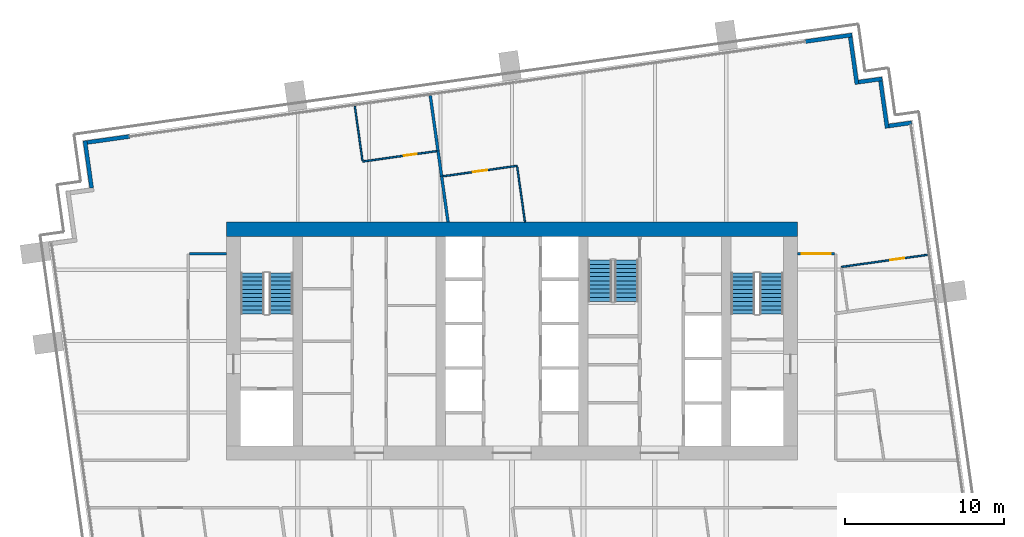
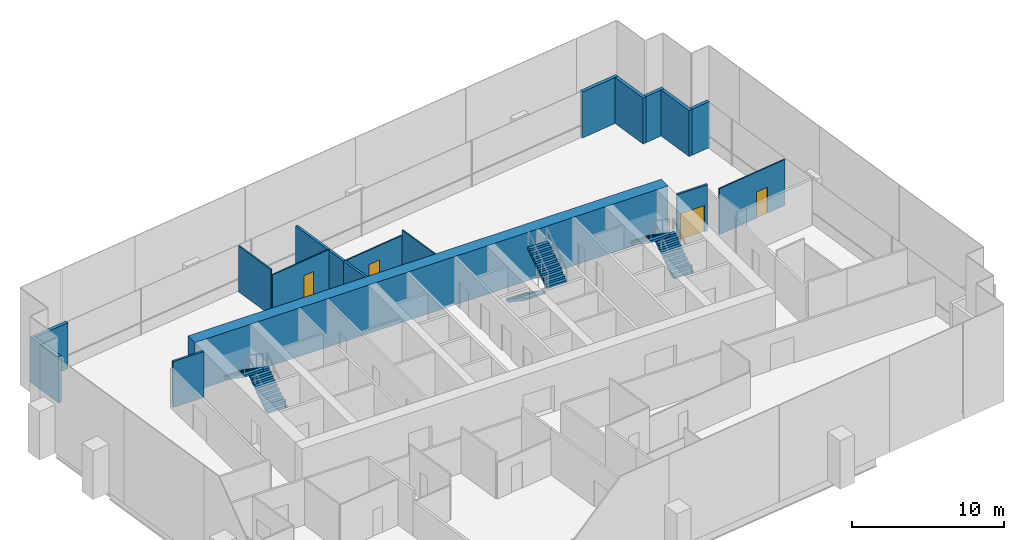
# One storey, part 12 of 17: 18 walls, 6 stair flights, 4 doors, 4 openings, 3 elements without a shape of their own.
"""IFC4 building model written with IfcOpenShell, lengths in metres."""

from ifc_helpers import new_model, si_unit, direction, frame, frame_2d, origin, place, context, subcontext, project, spatial, polyline, rectangle, outline, extrude, material, layer, layer_set, type_object, element, fill, aggregate, save


model = new_model("IFC4")

# Units and contexts
model_context = context("Model", 3, precision=1e-05, world=origin(), true_north=direction((0.0, 1.0)))
body_context = subcontext(model_context, "Body", "Model", "MODEL_VIEW")
ifc_project = project(units=[si_unit("LENGTHUNIT", "METRE"), si_unit("AREAUNIT", "SQUARE_METRE"), si_unit("VOLUMEUNIT", "CUBIC_METRE"), si_unit("PLANEANGLEUNIT", "RADIAN"), si_unit("MASSUNIT", "GRAM", prefix="KILO")], contexts=[model_context])

# Site, building, storey
site_placement = place(None, origin())
site = spatial("IfcSite", under=ifc_project, at=site_placement, CompositionType="ELEMENT")
building_placement = place(site_placement, origin())
building = spatial("IfcBuilding", under=site, at=building_placement, Name="Rattan Terrace Tower", CompositionType="ELEMENT")
storey_placement = place(building_placement, frame((0.0, 0.0, 168.5)))
storey = spatial("IfcBuildingStorey", under=building, at=storey_placement, Name="L38", CompositionType="ELEMENT", Elevation=168.5)

# Walls
ifc_material_1 = material(Name="Concrete C60/75", Category="concrete")
ifc_layer_1 = layer(ifc_material_1, 0.89990234375)
ifc_layer_set_1 = layer_set([ifc_layer_1], Name="Core ring wall 900 C60/75")
wall_type_1 = type_object("IfcWallType", Name="Core ring wall 900 C60/75", PredefinedType="SHEAR", material=ifc_layer_set_1)
wall_1_placement = place(storey_placement, frame((-18.0, 7.050048828125, -0.199951171875), z_axis=(0.0, 0.0, 1.0), x_axis=(1.0, 0.0, 0.0)))
element("IfcWall", 1, at=wall_1_placement, inside=storey, type_object=wall_type_1, Name="Rear core wall north", PredefinedType="SHEAR", context=body_context, shape_type="SweptSolid", body=[
    extrude(rectangle(XDim=36.0, YDim=0.89990234375, at=frame_2d((18.0, 0.0))), origin(), (0.0, 0.0, 1.0), 3.89990234375),
])
ifc_material_2 = material(Name="Insulated aluminium-clad stud wall", Category="aluminium")
ifc_layer_2 = layer(ifc_material_2, 0.25)
ifc_layer_set_2 = layer_set([ifc_layer_2], Name="Facade Riser Wall 250")
wall_type_2 = type_object("IfcWallType", Name="Facade Riser Wall 250", PredefinedType="SOLIDWALL", material=ifc_layer_set_2)
wall_2_placement = place(storey_placement, frame((25.18359375, 13.758056640625, 0.0), z_axis=(0.0, 0.0, 1.0), x_axis=(-0.9902493448, -0.13930626376, 0.0)))
element("IfcWall", 2, at=wall_2_placement, inside=storey, type_object=wall_type_2, Name="Riser wall L38-6", PredefinedType="SOLIDWALL", context=body_context, shape_type="SweptSolid", body=[
    extrude(rectangle(XDim=1.45458984375, YDim=0.25, at=frame_2d((0.727294921875, 0.0))), origin(), (0.0, 0.0, 1.0), 3.699951171875),
])
wall_3_placement = place(storey_placement, frame((23.63671875, 13.414306640625, 0.0), z_axis=(0.0, 0.0, 1.0), x_axis=(-0.139313431826, 0.990248336385, 0.0)))
element("IfcWall", 3, at=wall_3_placement, inside=storey, type_object=wall_type_2, Name="Riser wall L38-7", PredefinedType="SOLIDWALL", context=body_context, shape_type="SweptSolid", body=[
    extrude(rectangle(XDim=3.000244140625, YDim=0.25, at=frame_2d((1.5, 0.0))), origin(), (0.0, 0.0, 1.0), 3.699951171875),
])
wall_4_placement = place(storey_placement, frame((23.3251953125, 16.5263671875, 0.0), z_axis=(0.0, 0.0, 1.0), x_axis=(-0.990243596651, -0.13934711799, 0.0)))
element("IfcWall", 4, at=wall_4_placement, inside=storey, type_object=wall_type_2, Name="Riser wall L38-8", PredefinedType="SOLIDWALL", context=body_context, shape_type="SweptSolid", body=[
    extrude(rectangle(XDim=1.499755859375, YDim=0.25, at=frame_2d((0.75, 0.0))), origin(), (0.0, 0.0, 1.0), 3.699951171875),
])
wall_5_placement = place(storey_placement, frame((21.733642578125, 16.17626953125, 0.0), z_axis=(0.0, 0.0, 1.0), x_axis=(-0.139313431826, 0.990248336385, 0.0)))
element("IfcWall", 5, at=wall_5_placement, inside=storey, type_object=wall_type_2, Name="Riser wall L38-9", PredefinedType="SOLIDWALL", context=body_context, shape_type="SweptSolid", body=[
    extrude(rectangle(XDim=3.000244140625, YDim=0.25, at=frame_2d((1.5, 0.0))), origin(), (0.0, 0.0, 1.0), 3.699951171875),
])
wall_6_placement = place(storey_placement, frame((21.422119140625, 19.288330078125, 0.0), z_axis=(0.0, 0.0, 1.0), x_axis=(-0.990246427036, -0.139327002919, 0.0)))
element("IfcWall", 6, at=wall_6_placement, inside=storey, type_object=wall_type_2, Name="Riser wall L38-10", PredefinedType="SOLIDWALL", context=body_context, shape_type="SweptSolid", body=[
    extrude(rectangle(XDim=2.954345703125, YDim=0.25, at=frame_2d((1.47705078125, 0.0))), origin(), (0.0, 0.0, 1.0), 3.699951171875),
])
wall_7_placement = place(storey_placement, frame((-24.08544921875, 12.892578125, 0.0), z_axis=(0.0, 0.0, 1.0), x_axis=(-0.990255800966, -0.139260362823, 0.0)))
element("IfcWall", 7, at=wall_7_placement, inside=storey, type_object=wall_type_2, Name="Riser wall L38-11", PredefinedType="SOLIDWALL", context=body_context, shape_type="SweptSolid", body=[
    extrude(rectangle(XDim=2.705078125, YDim=0.25, at=frame_2d((1.3525390625, 0.0))), origin(), (0.0, 0.0, 1.0), 3.699951171875),
])
wall_8_placement = place(storey_placement, frame((-26.9052734375, 12.6220703125, 0.0), z_axis=(0.0, 0.0, 1.0), x_axis=(0.139313431826, -0.990248336385, 0.0)))
element("IfcWall", 8, at=wall_8_placement, inside=storey, type_object=wall_type_2, Name="Riser wall L38-12", PredefinedType="SOLIDWALL", context=body_context, shape_type="SweptSolid", body=[
    extrude(rectangle(XDim=3.000244140625, YDim=0.25, at=frame_2d((1.5, 0.0))), origin(), (0.0, 0.0, 1.0), 3.699951171875),
])
ifc_material_3 = material(Name="Double steel stud acoustic partition, gypsum board, mineral wool, fire rated", Category="steel")
ifc_layer_3 = layer(ifc_material_3, 0.179931640625)
ifc_layer_set_3 = layer_set([ifc_layer_3], Name="Floors Acoustic Party Wall 180")
wall_type_3 = type_object("IfcWallType", Name="Floors Acoustic Party Wall 180", PredefinedType="PARTITIONING", material=ifc_layer_set_3)
wall_9_placement = place(storey_placement, frame((-4.659912109375, 11.97998046875, 0.0), z_axis=(0.0, 0.0, 1.0), x_axis=(0.139096096116, -0.990278888013, 0.0)))
element("IfcWall", 9, at=wall_9_placement, inside=storey, type_object=wall_type_3, Name="pt-L38-043", PredefinedType="PARTITIONING", context=body_context, shape_type="SweptSolid", body=[
    extrude(rectangle(XDim=1.6025390625, YDim=0.179931640625, at=frame_2d((0.80126953125, 0.0))), origin(), (0.0, 0.0, 1.0), 3.25),
])
wall_10_placement = place(storey_placement, frame((-4.43701171875, 10.39306640625, 0.0), z_axis=(0.0, 0.0, 1.0), x_axis=(0.139303486007, -0.990249735565, 0.0)))
element("IfcWall", 10, at=wall_10_placement, inside=storey, type_object=wall_type_3, Name="pt-L38-044", PredefinedType="PARTITIONING", context=body_context, shape_type="SweptSolid", body=[
    extrude(rectangle(XDim=2.921630859375, YDim=0.179931640625, at=frame_2d((1.4609375, 0.0))), origin(), (0.0, 0.0, 1.0), 3.25),
])
wall_11_placement = place(storey_placement, frame((-5.14892578125, 15.462890625, 0.0), z_axis=(0.0, 0.0, 1.0), x_axis=(0.139039982937, -0.990286768136, 0.0)))
element("IfcWall", 11, at=wall_11_placement, inside=storey, type_object=wall_type_3, Name="pt-L38-045", PredefinedType="PARTITIONING", context=body_context, shape_type="SweptSolid", body=[
    extrude(rectangle(XDim=3.51708984375, YDim=0.179931640625, at=frame_2d((1.758544921875, 0.0))), origin(), (0.0, 0.0, 1.0), 3.25),
])
ifc_material_4 = material(Name="Gypsum board partition on steel studs", Category="steel")
ifc_layer_4 = layer(ifc_material_4, 0.10009765625)
ifc_layer_set_4 = layer_set([ifc_layer_4], Name="Floors Partition 100")
wall_type_4 = type_object("IfcWallType", Name="Floors Partition 100", PredefinedType="PARTITIONING", material=ifc_layer_set_4)
wall_12_placement = place(storey_placement, frame((-9.902099609375, 14.7939453125, 0.0), z_axis=(0.0, 0.0, 1.0), x_axis=(0.139094045424, -0.990279176055, 0.0)))
element("IfcWall", 12, at=wall_12_placement, inside=storey, type_object=wall_type_4, Name="pt-L38-041", PredefinedType="PARTITIONING", context=body_context, shape_type="SweptSolid", body=[
    extrude(rectangle(XDim=3.466552734375, YDim=0.10009765625, at=frame_2d((1.7333984375, 0.0))), origin(), (0.0, 0.0, 1.0), 3.699951171875),
])

# Wall, opening, door
wall_13_placement = place(storey_placement, frame((-9.4130859375, 11.31201171875, 0.0), z_axis=(0.0, 0.0, 1.0), x_axis=(0.99025300455, 0.139280246191, 0.0)))
wall_13 = element("IfcWall", 13, at=wall_13_placement, inside=storey, type_object=wall_type_4, Name="pt-L38-042", PredefinedType="PARTITIONING", context=body_context, shape_type="SweptSolid", body=[
    extrude(rectangle(XDim=4.7099609375, YDim=0.10009765625, at=frame_2d((2.35498046875, 0.0))), origin(), (0.0, 0.0, 1.0), 3.300048828125),
])
opening_1_placement = place(wall_13_placement, frame((2.636962890625, 0.0, 0.0)))
opening_1 = element("IfcOpeningElement", 14, at=opening_1_placement, cuts=wall_13, Name="Opening L38-D111", PredefinedType="OPENING", context=body_context, shape_type="SweptSolid", body=[
    extrude(rectangle(XDim=0.800048828125, YDim=2.10009765625, at=frame_2d((0.39990234375, 1.050048828125))), frame((0.0, 0.060546875, 0.0), z_axis=(0.0, -1.0, 0.0), x_axis=(1.0, 0.0, 0.0)), (0.0, 0.0, 1.0), 0.12109375),
])
ifc_material_5 = material(Name="Solid core timber door, painted", Category="wood")
door_type_1 = type_object("IfcDoorType", Name="Floors Store Door 800x2100", OperationType="NOTDEFINED", PredefinedType="DOOR", material=ifc_material_5)
door_1_placement = place(opening_1_placement, origin())
door_1 = element("IfcDoor", 15, at=door_1_placement, inside=storey, type_object=door_type_1, Name="d-L38-111", OperationType="SINGLE_SWING_RIGHT", OverallHeight=2.10009765625, OverallWidth=0.800048828125, PredefinedType="DOOR", context=body_context, shape_type="SweptSolid", body=[
    extrude(rectangle(XDim=0.800048828125, YDim=2.10009765625, at=frame_2d((0.39990234375, 1.050048828125))), frame((0.0, 0.02490234375, 0.0), z_axis=(0.0, -1.0, 0.0), x_axis=(1.0, 0.0, 0.0)), (0.0, 0.0, 1.0), 0.050048828125),
])
fill(opening_1, door_1)

wall_14_placement = place(storey_placement, frame((26.180908203125, 5.43505859375, 0.0), z_axis=(0.0, 0.0, 1.0), x_axis=(-0.990283537783, -0.13906298859, 0.0)))
wall_14 = element("IfcWall", 16, at=wall_14_placement, inside=storey, type_object=wall_type_4, Name="pt-L38-051", PredefinedType="PARTITIONING", context=body_context, shape_type="SweptSolid", body=[
    extrude(rectangle(XDim=5.479248046875, YDim=0.10009765625, at=frame_2d((2.73974609375, 0.0))), origin(), (0.0, 0.0, 1.0), 3.699951171875),
])
opening_2_placement = place(wall_14_placement, frame((1.47412109375, 0.0, 0.0)))
opening_2 = element("IfcOpeningElement", 17, at=opening_2_placement, cuts=wall_14, Name="Opening L38-D115", PredefinedType="OPENING", context=body_context, shape_type="SweptSolid", body=[
    extrude(rectangle(XDim=0.89990234375, YDim=2.10009765625, at=frame_2d((0.449951171875, 1.050048828125))), frame((0.0, 0.060546875, 0.0), z_axis=(0.0, -1.0, 0.0), x_axis=(1.0, 0.0, 0.0)), (0.0, 0.0, 1.0), 0.12109375),
])
ifc_material_6 = material(Name="Solid core timber door, painted", Category="wood")
door_type_2 = type_object("IfcDoorType", Name="Floors Door 900x2100", OperationType="NOTDEFINED", PredefinedType="DOOR", material=ifc_material_6)
door_2_placement = place(opening_2_placement, origin())
door_2 = element("IfcDoor", 18, at=door_2_placement, inside=storey, type_object=door_type_2, Name="d-L38-115", OperationType="SINGLE_SWING_LEFT", OverallHeight=2.10009765625, OverallWidth=0.89990234375, PredefinedType="DOOR", context=body_context, shape_type="SweptSolid", body=[
    extrude(rectangle(XDim=0.89990234375, YDim=2.10009765625, at=frame_2d((0.449951171875, 1.050048828125))), frame((0.0, 0.02490234375, 0.0), z_axis=(0.0, -1.0, 0.0), x_axis=(1.0, 0.0, 0.0)), (0.0, 0.0, 1.0), 0.050048828125),
])
fill(opening_2, door_2)

wall_15_placement = place(storey_placement, frame((0.319091796875, 11.041015625, 0.0), z_axis=(0.0, 0.0, 1.0), x_axis=(-0.99025300455, -0.139280246191, 0.0)))
wall_15 = element("IfcWall", 19, at=wall_15_placement, inside=storey, type_object=wall_type_4, Name="pt-L38-052", PredefinedType="PARTITIONING", context=body_context, shape_type="SweptSolid", body=[
    extrude(rectangle(XDim=4.7099609375, YDim=0.10009765625, at=frame_2d((2.35498046875, 0.0))), origin(), (0.0, 0.0, 1.0), 3.25),
])
opening_3_placement = place(wall_15_placement, frame((1.905029296875, 0.0, 0.0)))
opening_3 = element("IfcOpeningElement", 20, at=opening_3_placement, cuts=wall_15, Name="Opening L38-D116", PredefinedType="OPENING", context=body_context, shape_type="SweptSolid", body=[
    extrude(rectangle(XDim=0.89990234375, YDim=2.10009765625, at=frame_2d((0.449951171875, 1.050048828125))), frame((0.0, 0.060546875, 0.0), z_axis=(0.0, -1.0, 0.0), x_axis=(1.0, 0.0, 0.0)), (0.0, 0.0, 1.0), 0.12109375),
])
door_3_placement = place(opening_3_placement, origin())
door_3 = element("IfcDoor", 21, at=door_3_placement, inside=storey, type_object=door_type_2, Name="d-L38-116", OperationType="SINGLE_SWING_LEFT", OverallHeight=2.10009765625, OverallWidth=0.89990234375, PredefinedType="DOOR", context=body_context, shape_type="SweptSolid", body=[
    extrude(rectangle(XDim=0.89990234375, YDim=2.10009765625, at=frame_2d((0.449951171875, 1.050048828125))), frame((0.0, 0.02490234375, 0.0), z_axis=(0.0, -1.0, 0.0), x_axis=(1.0, 0.0, 0.0)), (0.0, 0.0, 1.0), 0.050048828125),
])
fill(opening_3, door_3)

# Walls
wall_16_placement = place(storey_placement, frame((0.81689453125, 7.5, 0.0), z_axis=(0.0, 0.0, 1.0), x_axis=(-0.139230432727, 0.990260009595, 0.0)))
element("IfcWall", 22, at=wall_16_placement, inside=storey, type_object=wall_type_4, Name="pt-L38-053", PredefinedType="PARTITIONING", context=body_context, shape_type="SweptSolid", body=[
    extrude(rectangle(XDim=3.5263671875, YDim=0.10009765625, at=frame_2d((1.76318359375, 0.0))), origin(), (0.0, 0.0, 1.0), 3.699951171875),
])
ifc_material_7 = material(Name="Gypsum board partition on steel studs, fire rated", Category="steel")
ifc_layer_5 = layer(ifc_material_7, 0.14990234375)
ifc_layer_set_5 = layer_set([ifc_layer_5], Name="Floors Tenancy Wall 150")
wall_type_5 = type_object("IfcWallType", Name="Floors Tenancy Wall 150", PredefinedType="PARTITIONING", material=ifc_layer_set_5)
wall_17_placement = place(storey_placement, frame((-20.324951171875, 5.5009765625, 0.0), z_axis=(0.0, 0.0, 1.0), x_axis=(1.0, 0.0, 0.0)))
element("IfcWall", 23, at=wall_17_placement, inside=storey, type_object=wall_type_5, Name="pt-L38-017", PredefinedType="PARTITIONING", context=body_context, shape_type="SweptSolid", body=[
    extrude(rectangle(XDim=2.324951171875, YDim=0.14990234375, at=frame_2d((1.16259765625, 0.0))), origin(), (0.0, 0.0, 1.0), 3.699951171875),
])

# Wall, opening, door
wall_18_placement = place(storey_placement, frame((18.0, 5.5009765625, 0.0), z_axis=(0.0, 0.0, 1.0), x_axis=(1.0, 0.0, 0.0)))
wall_18 = element("IfcWall", 24, at=wall_18_placement, inside=storey, type_object=wall_type_5, Name="pt-L38-022", PredefinedType="PARTITIONING", context=body_context, shape_type="SweptSolid", body=[
    extrude(rectangle(XDim=2.324951171875, YDim=0.14990234375, at=frame_2d((1.16259765625, 0.0))), origin(), (0.0, 0.0, 1.0), 3.699951171875),
])
opening_4_placement = place(wall_18_placement, frame((0.26806640625, 0.0, 0.0)))
opening_4 = element("IfcOpeningElement", 25, at=opening_4_placement, cuts=wall_18, Name="Opening L38-D114", PredefinedType="OPENING", context=body_context, shape_type="SweptSolid", body=[
    extrude(rectangle(XDim=1.800048828125, YDim=2.10009765625, at=frame_2d((0.89990234375, 1.050048828125))), frame((0.0, 0.08544921875, 0.0), z_axis=(0.0, -1.0, 0.0), x_axis=(1.0, 0.0, 0.0)), (0.0, 0.0, 1.0), 0.1708984375),
])
ifc_material_8 = material(Name="Steel fire door set", Category="steel")
door_type_3 = type_object("IfcDoorType", Name="Floors Fire Door Pair FD30S 1800x2100", OperationType="NOTDEFINED", PredefinedType="DOOR", material=ifc_material_8)
door_4_placement = place(opening_4_placement, origin())
door_4 = element("IfcDoor", 26, at=door_4_placement, inside=storey, type_object=door_type_3, Name="d-L38-114", OperationType="DOUBLE_DOOR_SINGLE_SWING", OverallHeight=2.10009765625, OverallWidth=1.800048828125, PredefinedType="DOOR", context=body_context, shape_type="SweptSolid", body=[
    extrude(rectangle(XDim=1.800048828125, YDim=2.10009765625, at=frame_2d((0.89990234375, 1.050048828125))), frame((0.0, 0.02490234375, 0.0), z_axis=(0.0, -1.0, 0.0), x_axis=(1.0, 0.0, 0.0)), (0.0, 0.0, 1.0), 0.050048828125),
])
fill(opening_4, door_4)

# Stair, stair flights
ifc_material_9 = material(Name="Concrete C40/50", Category="concrete")
stair_type = type_object("IfcStairType", Name="Core exit stair 1500", PredefinedType="HALF_TURN_STAIR", material=ifc_material_9)
stair_1_placement = place(storey_placement, origin())
stair_1 = element("IfcStair", 27, at=stair_1_placement, inside=storey, type_object=stair_type, Name="L38 exit stair 1", PredefinedType="HALF_TURN_STAIR")
ifc_material_10 = material(Name="Concrete C40/50", Category="concrete")
stair_flight_type = type_object("IfcStairFlightType", Name="Core exit stair flight 1500", PredefinedType="STRAIGHT", material=ifc_material_10)
stair_flight_1_placement = place(storey_placement, frame((-14.550048828125, 1.699951171875, 0.0), z_axis=(0.0, 0.0, 1.0), x_axis=(0.0, 1.0, 0.0)))
stair_flight_1 = element("IfcStairFlight", 28, at=stair_flight_1_placement, type_object=stair_flight_type, Name="S1 flight 1", NumberOfRisers=11, NumberOfTreads=10, PredefinedType="STRAIGHT", RiserHeight=0.177272727, TreadLength=0.26, context=body_context, shape_type="SweptSolid", body=[
    extrude(outline(polyline([(0.0, 0.0), (0.0, 0.17724609375), (0.260009765625, 0.17724609375), (0.260009765625, 0.3544921875), (0.52001953125, 0.3544921875), (0.52001953125, 0.53173828125), (0.780029296875, 0.53173828125), (0.780029296875, 0.708984375), (1.0400390625, 0.708984375), (1.0400390625, 0.886474609375), (1.300048828125, 0.886474609375), (1.300048828125, 1.063720703125), (1.56005859375, 1.063720703125), (1.56005859375, 1.240966796875), (1.820068359375, 1.240966796875), (1.820068359375, 1.418212890625), (2.080078125, 1.418212890625), (2.080078125, 1.595458984375), (2.340087890625, 1.595458984375), (2.340087890625, 1.772705078125), (2.60009765625, 1.772705078125), (2.60009765625, 1.949951171875), (2.60009765625, 1.59130859375), (0.26611328125, 0.0), (0.0, 0.0)])), frame((0.0, 0.75, 0.0), z_axis=(0.0, -1.0, 0.0), x_axis=(1.0, 0.0, 0.0)), (0.0, 0.0, 1.0), 1.5),
])
stair_flight_2_placement = place(storey_placement, frame((-16.35009765625, 4.300048828125, 1.949951171875), z_axis=(0.0, 0.0, 1.0), x_axis=(0.0, -1.0, 0.0)))
stair_flight_2 = element("IfcStairFlight", 29, at=stair_flight_2_placement, type_object=stair_flight_type, Name="S1 flight 2", NumberOfRisers=11, NumberOfTreads=10, PredefinedType="STRAIGHT", RiserHeight=0.177272727, TreadLength=0.26, context=body_context, shape_type="SweptSolid", body=[
    extrude(outline(polyline([(0.0, 0.0), (0.0, 0.17724609375), (0.260009765625, 0.17724609375), (0.260009765625, 0.3544921875), (0.52001953125, 0.3544921875), (0.52001953125, 0.53173828125), (0.780029296875, 0.53173828125), (0.780029296875, 0.708984375), (1.0400390625, 0.708984375), (1.0400390625, 0.886474609375), (1.300048828125, 0.886474609375), (1.300048828125, 1.063720703125), (1.56005859375, 1.063720703125), (1.56005859375, 1.240966796875), (1.820068359375, 1.240966796875), (1.820068359375, 1.418212890625), (2.080078125, 1.418212890625), (2.080078125, 1.595458984375), (2.340087890625, 1.595458984375), (2.340087890625, 1.772705078125), (2.60009765625, 1.772705078125), (2.60009765625, 1.949951171875), (2.60009765625, 1.59130859375), (0.26611328125, 0.0), (0.0, 0.0)])), frame((0.0, 0.75, 0.0), z_axis=(0.0, -1.0, 0.0), x_axis=(1.0, 0.0, 0.0)), (0.0, 0.0, 1.0), 1.5),
])
aggregate(stair_1, [stair_flight_1, stair_flight_2])

stair_2_placement = place(storey_placement, origin())
stair_2 = element("IfcStair", 30, at=stair_2_placement, inside=storey, type_object=stair_type, Name="L38 exit stair 2", PredefinedType="HALF_TURN_STAIR")
stair_flight_3_placement = place(storey_placement, frame((16.35009765625, 1.699951171875, 0.0), z_axis=(0.0, 0.0, 1.0), x_axis=(0.0, 1.0, 0.0)))
stair_flight_3 = element("IfcStairFlight", 31, at=stair_flight_3_placement, type_object=stair_flight_type, Name="S2 flight 1", NumberOfRisers=11, NumberOfTreads=10, PredefinedType="STRAIGHT", RiserHeight=0.177272727, TreadLength=0.26, context=body_context, shape_type="SweptSolid", body=[
    extrude(outline(polyline([(0.0, 0.0), (0.0, 0.17724609375), (0.260009765625, 0.17724609375), (0.260009765625, 0.3544921875), (0.52001953125, 0.3544921875), (0.52001953125, 0.53173828125), (0.780029296875, 0.53173828125), (0.780029296875, 0.708984375), (1.0400390625, 0.708984375), (1.0400390625, 0.886474609375), (1.300048828125, 0.886474609375), (1.300048828125, 1.063720703125), (1.56005859375, 1.063720703125), (1.56005859375, 1.240966796875), (1.820068359375, 1.240966796875), (1.820068359375, 1.418212890625), (2.080078125, 1.418212890625), (2.080078125, 1.595458984375), (2.340087890625, 1.595458984375), (2.340087890625, 1.772705078125), (2.60009765625, 1.772705078125), (2.60009765625, 1.949951171875), (2.60009765625, 1.59130859375), (0.26611328125, 0.0), (0.0, 0.0)])), frame((0.0, 0.75, 0.0), z_axis=(0.0, -1.0, 0.0), x_axis=(1.0, 0.0, 0.0)), (0.0, 0.0, 1.0), 1.5),
])
stair_flight_4_placement = place(storey_placement, frame((14.550048828125, 4.300048828125, 1.949951171875), z_axis=(0.0, 0.0, 1.0), x_axis=(0.0, -1.0, 0.0)))
stair_flight_4 = element("IfcStairFlight", 32, at=stair_flight_4_placement, type_object=stair_flight_type, Name="S2 flight 2", NumberOfRisers=11, NumberOfTreads=10, PredefinedType="STRAIGHT", RiserHeight=0.177272727, TreadLength=0.26, context=body_context, shape_type="SweptSolid", body=[
    extrude(outline(polyline([(0.0, 0.0), (0.0, 0.17724609375), (0.260009765625, 0.17724609375), (0.260009765625, 0.3544921875), (0.52001953125, 0.3544921875), (0.52001953125, 0.53173828125), (0.780029296875, 0.53173828125), (0.780029296875, 0.708984375), (1.0400390625, 0.708984375), (1.0400390625, 0.886474609375), (1.300048828125, 0.886474609375), (1.300048828125, 1.063720703125), (1.56005859375, 1.063720703125), (1.56005859375, 1.240966796875), (1.820068359375, 1.240966796875), (1.820068359375, 1.418212890625), (2.080078125, 1.418212890625), (2.080078125, 1.595458984375), (2.340087890625, 1.595458984375), (2.340087890625, 1.772705078125), (2.60009765625, 1.772705078125), (2.60009765625, 1.949951171875), (2.60009765625, 1.59130859375), (0.26611328125, 0.0), (0.0, 0.0)])), frame((0.0, 0.75, 0.0), z_axis=(0.0, -1.0, 0.0), x_axis=(1.0, 0.0, 0.0)), (0.0, 0.0, 1.0), 1.5),
])
aggregate(stair_2, [stair_flight_3, stair_flight_4])

stair_3_placement = place(storey_placement, origin())
stair_3 = element("IfcStair", 33, at=stair_3_placement, inside=storey, type_object=stair_type, Name="L38 exit stair 3", PredefinedType="HALF_TURN_STAIR")
stair_flight_5_placement = place(storey_placement, frame((5.550048828125, 5.10009765625, 0.0), z_axis=(0.0, 0.0, 1.0), x_axis=(0.0, -1.0, 0.0)))
stair_flight_5 = element("IfcStairFlight", 34, at=stair_flight_5_placement, type_object=stair_flight_type, Name="S3 flight 1", NumberOfRisers=11, NumberOfTreads=10, PredefinedType="STRAIGHT", RiserHeight=0.177272727, TreadLength=0.26, context=body_context, shape_type="SweptSolid", body=[
    extrude(outline(polyline([(0.0, 0.0), (0.0, 0.17724609375), (0.260009765625, 0.17724609375), (0.260009765625, 0.3544921875), (0.52001953125, 0.3544921875), (0.52001953125, 0.53173828125), (0.780029296875, 0.53173828125), (0.780029296875, 0.708984375), (1.0400390625, 0.708984375), (1.0400390625, 0.886474609375), (1.300048828125, 0.886474609375), (1.300048828125, 1.063720703125), (1.56005859375, 1.063720703125), (1.56005859375, 1.240966796875), (1.820068359375, 1.240966796875), (1.820068359375, 1.418212890625), (2.080078125, 1.418212890625), (2.080078125, 1.595458984375), (2.340087890625, 1.595458984375), (2.340087890625, 1.772705078125), (2.60009765625, 1.772705078125), (2.60009765625, 1.949951171875), (2.60009765625, 1.59130859375), (0.26611328125, 0.0), (0.0, 0.0)])), frame((0.0, 0.75, 0.0), z_axis=(0.0, -1.0, 0.0), x_axis=(1.0, 0.0, 0.0)), (0.0, 0.0, 1.0), 1.5),
])
stair_flight_6_placement = place(storey_placement, frame((7.199951171875, 2.5, 1.949951171875), z_axis=(0.0, 0.0, 1.0), x_axis=(0.0, 1.0, 0.0)))
stair_flight_6 = element("IfcStairFlight", 35, at=stair_flight_6_placement, type_object=stair_flight_type, Name="S3 flight 2", NumberOfRisers=11, NumberOfTreads=10, PredefinedType="STRAIGHT", RiserHeight=0.177272727, TreadLength=0.26, context=body_context, shape_type="SweptSolid", body=[
    extrude(outline(polyline([(0.0, 0.0), (0.0, 0.17724609375), (0.260009765625, 0.17724609375), (0.260009765625, 0.3544921875), (0.52001953125, 0.3544921875), (0.52001953125, 0.53173828125), (0.780029296875, 0.53173828125), (0.780029296875, 0.708984375), (1.0400390625, 0.708984375), (1.0400390625, 0.886474609375), (1.300048828125, 0.886474609375), (1.300048828125, 1.063720703125), (1.56005859375, 1.063720703125), (1.56005859375, 1.240966796875), (1.820068359375, 1.240966796875), (1.820068359375, 1.418212890625), (2.080078125, 1.418212890625), (2.080078125, 1.595458984375), (2.340087890625, 1.595458984375), (2.340087890625, 1.772705078125), (2.60009765625, 1.772705078125), (2.60009765625, 1.949951171875), (2.60009765625, 1.59130859375), (0.26611328125, 0.0), (0.0, 0.0)])), frame((0.0, 0.75, 0.0), z_axis=(0.0, -1.0, 0.0), x_axis=(1.0, 0.0, 0.0)), (0.0, 0.0, 1.0), 1.5),
])
aggregate(stair_3, [stair_flight_5, stair_flight_6])

save(model, "model.ifc")
